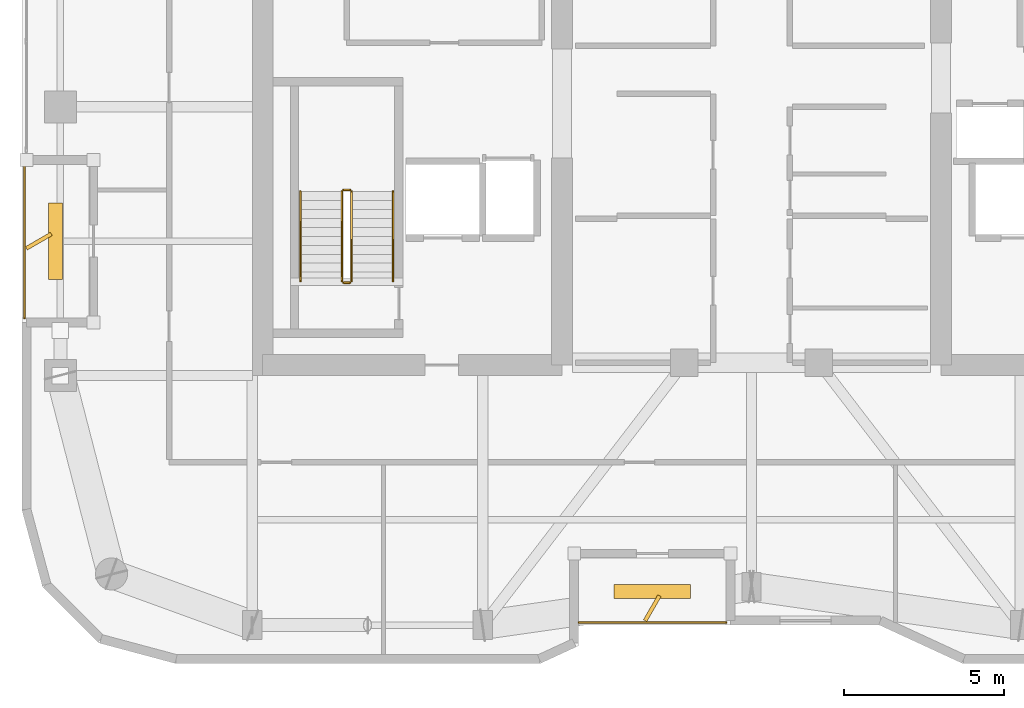
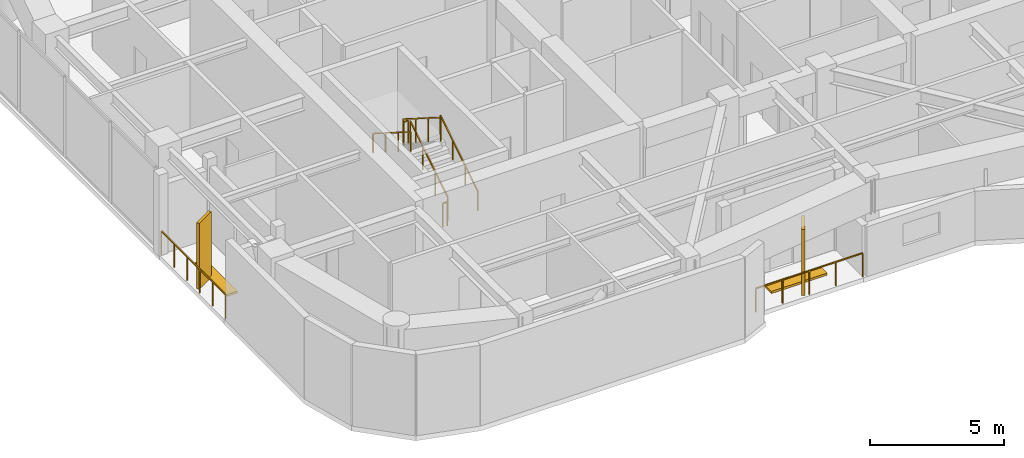
# One storey, part 14 of 15: 8 railings, 4 shading devices.
"""IFC4 building model written with IfcOpenShell, lengths in metres."""

from ifc_helpers import new_model, si_unit, direction, frame, origin, origin_2d, place, context, subcontext, project, spatial, rectangle, extrude, material, type_object, element, save


model = new_model("IFC4")

# Units and contexts
model_context = context("Model", 3, precision=1e-05, world=origin(), true_north=direction((0.0, 1.0)))
body_context = subcontext(model_context, "Body", "Model", "MODEL_VIEW")
ifc_project = project(units=[si_unit("LENGTHUNIT", "METRE"), si_unit("AREAUNIT", "SQUARE_METRE"), si_unit("VOLUMEUNIT", "CUBIC_METRE"), si_unit("PLANEANGLEUNIT", "RADIAN"), si_unit("MASSUNIT", "GRAM", prefix="KILO")], contexts=[model_context])

# Site, building, storey
site_placement = place(None, origin())
site = spatial("IfcSite", under=ifc_project, at=site_placement, CompositionType="ELEMENT")
building_placement = place(site_placement, origin())
building = spatial("IfcBuilding", under=site, at=building_placement, Name="Kiyonajd Concourse Tower", CompositionType="ELEMENT")
storey_placement = place(building_placement, frame((0.0, 0.0, 258.89990234375)))
storey = spatial("IfcBuildingStorey", under=building, at=storey_placement, Name="L65", CompositionType="ELEMENT", Elevation=258.89990234375)

# Railings
ifc_material_1 = material(Name="Thermally Broken Anodised Aluminium", Category="aluminium")
railing_type_1 = type_object("IfcRailingType", Name="RL-GRD-LOG", PredefinedType="GUARDRAIL", material=ifc_material_1)
railing_1_placement = place(storey_placement, frame((42.60009765625, 19.8798828125, 0.0)))
element("IfcRailing", 1, at=railing_1_placement, inside=storey, type_object=railing_type_1, Name="L65 Engawa Loggia Perimeter Guard LOG-S", PredefinedType="GUARDRAIL", context=body_context, shape_type="SweptSolid", body=[
    extrude(rectangle(XDim=0.048095703125, YDim=0.048095703125, at=origin_2d()), frame((0.0, 0.0, 1.076171875), z_axis=(1.0, 0.0, 0.0), x_axis=(0.0, 1.0, 0.0)), (0.0, 0.0, 1.0), 4.599853515625),
    extrude(rectangle(XDim=0.0419921875, YDim=0.0419921875, at=origin_2d()), origin(), (0.0, 0.0, 1.0), 1.052001953125),
    extrude(rectangle(XDim=0.0419921875, YDim=0.0419921875, at=origin_2d()), frame((1.14990234375, 0.0, 0.0)), (0.0, 0.0, 1.0), 1.052001953125),
    extrude(rectangle(XDim=0.0419921875, YDim=0.0419921875, at=origin_2d()), frame((2.2998046875, 0.0, 0.0)), (0.0, 0.0, 1.0), 1.052001953125),
    extrude(rectangle(XDim=0.0419921875, YDim=0.0419921875, at=origin_2d()), frame((3.449951171875, 0.0, 0.0)), (0.0, 0.0, 1.0), 1.052001953125),
    extrude(rectangle(XDim=0.0419921875, YDim=0.0419921875, at=origin_2d()), frame((4.599853515625, 0.0, 0.0)), (0.0, 0.0, 1.0), 1.052001953125),
])
railing_2_placement = place(storey_placement, frame((25.280029296875, 34.199951171875, 0.0)))
element("IfcRailing", 2, at=railing_2_placement, inside=storey, type_object=railing_type_1, Name="L65 Engawa Loggia Perimeter Guard LOG-W", PredefinedType="GUARDRAIL", context=body_context, shape_type="SweptSolid", body=[
    extrude(rectangle(XDim=0.048095703125, YDim=0.048095703125, at=origin_2d()), frame((0.0, 0.0, 1.076171875), z_axis=(0.0, -1.0, 0.0), x_axis=(1.0, 0.0, 0.0)), (0.0, 0.0, 1.0), 4.800048828125),
    extrude(rectangle(XDim=0.0419921875, YDim=0.0419921875, at=origin_2d()), origin(), (0.0, 0.0, 1.0), 1.052001953125),
    extrude(rectangle(XDim=0.0419921875, YDim=0.0419921875, at=origin_2d()), frame((0.0, -0.9599609375, 0.0)), (0.0, 0.0, 1.0), 1.052001953125),
    extrude(rectangle(XDim=0.0419921875, YDim=0.0419921875, at=origin_2d()), frame((0.0, -1.919921875, 0.0)), (0.0, 0.0, 1.0), 1.052001953125),
    extrude(rectangle(XDim=0.0419921875, YDim=0.0419921875, at=origin_2d()), frame((0.0, -2.880126953125, 0.0)), (0.0, 0.0, 1.0), 1.052001953125),
    extrude(rectangle(XDim=0.0419921875, YDim=0.0419921875, at=origin_2d()), frame((0.0, -3.840087890625, 0.0)), (0.0, 0.0, 1.0), 1.052001953125),
    extrude(rectangle(XDim=0.0419921875, YDim=0.0419921875, at=origin_2d()), frame((0.0, -4.800048828125, 0.0)), (0.0, 0.0, 1.0), 1.052001953125),
])
ifc_material_2 = material(Name="Steel ASTM A500 Grade C", Category="steel")
railing_type_2 = type_object("IfcRailingType", Name="RL-GRD-STR", PredefinedType="GUARDRAIL", material=ifc_material_2)
railing_3_placement = place(storey_placement, frame((35.5, 30.550048828125, 0.177490234375)))
element("IfcRailing", 3, at=railing_3_placement, inside=storey, type_object=railing_type_2, Name="L65 ST1 stair guard 1", PredefinedType="GUARDRAIL", context=body_context, shape_type="SweptSolid", body=[
    extrude(rectangle(XDim=0.048095703125, YDim=0.048095703125, at=origin_2d()), frame((0.0, 0.0, 1.076171875), z_axis=(0.0, 0.844908973607, 0.534910110503), x_axis=(-1.0, 0.0, 0.0)), (0.0, 0.0, 1.0), 3.31396484375),
    extrude(rectangle(XDim=0.0419921875, YDim=0.0419921875, at=origin_2d()), origin(), (0.0, 0.0, 1.0), 1.052001953125),
    extrude(rectangle(XDim=0.0419921875, YDim=0.0419921875, at=origin_2d()), frame((0.0, 0.933349609375, 0.5908203125)), (0.0, 0.0, 1.0), 1.052001953125),
    extrude(rectangle(XDim=0.0419921875, YDim=0.0419921875, at=origin_2d()), frame((0.0, 1.86669921875, 1.181884765625)), (0.0, 0.0, 1.0), 1.052001953125),
    extrude(rectangle(XDim=0.0419921875, YDim=0.0419921875, at=origin_2d()), frame((0.0, 2.800048828125, 1.772705078125)), (0.0, 0.0, 1.0), 1.052001953125),
])
railing_4_placement = place(storey_placement, frame((35.449951171875, 33.39990234375, 1.9501953125)))
element("IfcRailing", 4, at=railing_4_placement, inside=storey, type_object=railing_type_2, Name="L65 ST1 stair guard 2", PredefinedType="GUARDRAIL", context=body_context, shape_type="SweptSolid", body=[
    extrude(rectangle(XDim=0.048095703125, YDim=0.048095703125, at=origin_2d()), frame((0.0, 0.0, 1.076171875), z_axis=(-1.0, 0.0, 0.0), x_axis=(0.0, -1.0, 0.0)), (0.0, 0.0, 1.0), 0.199951171875),
    extrude(rectangle(XDim=0.0419921875, YDim=0.0419921875, at=origin_2d()), origin(), (0.0, 0.0, 1.0), 1.052001953125),
    extrude(rectangle(XDim=0.0419921875, YDim=0.0419921875, at=origin_2d()), frame((-0.199951171875, 0.0, 0.0)), (0.0, 0.0, 1.0), 1.052001953125),
])
railing_5_placement = place(storey_placement, frame((35.199951171875, 33.35009765625, 2.12744140625)))
element("IfcRailing", 5, at=railing_5_placement, inside=storey, type_object=railing_type_2, Name="L65 ST1 stair guard 3", PredefinedType="GUARDRAIL", context=body_context, shape_type="SweptSolid", body=[
    extrude(rectangle(XDim=0.048095703125, YDim=0.048095703125, at=origin_2d()), frame((0.0, 0.0, 1.076171875), z_axis=(0.0, -0.844908973607, 0.534910110503), x_axis=(1.0, 0.0, 0.0)), (0.0, 0.0, 1.0), 3.31396484375),
    extrude(rectangle(XDim=0.0419921875, YDim=0.0419921875, at=origin_2d()), origin(), (0.0, 0.0, 1.0), 1.052001953125),
    extrude(rectangle(XDim=0.0419921875, YDim=0.0419921875, at=origin_2d()), frame((0.0, -0.933349609375, 0.5908203125)), (0.0, 0.0, 1.0), 1.052001953125),
    extrude(rectangle(XDim=0.0419921875, YDim=0.0419921875, at=origin_2d()), frame((0.0, -1.86669921875, 1.181884765625)), (0.0, 0.0, 1.0), 1.052001953125),
    extrude(rectangle(XDim=0.0419921875, YDim=0.0419921875, at=origin_2d()), frame((0.0, -2.800048828125, 1.772705078125)), (0.0, 0.0, 1.0), 1.052001953125),
])
railing_6_placement = place(storey_placement, frame((35.449951171875, 30.5, 0.0)))
element("IfcRailing", 6, at=railing_6_placement, inside=storey, type_object=railing_type_2, Name="L65 ST1 stair guard 4", PredefinedType="GUARDRAIL", context=body_context, shape_type="SweptSolid", body=[
    extrude(rectangle(XDim=0.048095703125, YDim=0.048095703125, at=origin_2d()), frame((0.0, 0.0, 1.076171875), z_axis=(-1.0, 0.0, 0.0), x_axis=(0.0, -1.0, 0.0)), (0.0, 0.0, 1.0), 0.199951171875),
    extrude(rectangle(XDim=0.0419921875, YDim=0.0419921875, at=origin_2d()), origin(), (0.0, 0.0, 1.0), 1.052001953125),
    extrude(rectangle(XDim=0.0419921875, YDim=0.0419921875, at=origin_2d()), frame((-0.199951171875, 0.0, 0.0)), (0.0, 0.0, 1.0), 1.052001953125),
])
ifc_material_3 = material(Name="Brushed Stainless Steel Cab Assembly", Category="steel")
railing_type_3 = type_object("IfcRailingType", Name="RL-HND-900", PredefinedType="HANDRAIL", material=ifc_material_3)
railing_7_placement = place(storey_placement, frame((36.800048828125, 30.550048828125, 0.177490234375)))
element("IfcRailing", 7, at=railing_7_placement, inside=storey, type_object=railing_type_3, Name="L65 ST1 stair handrail 1", PredefinedType="HANDRAIL", context=body_context, shape_type="SweptSolid", body=[
    extrude(rectangle(XDim=0.048095703125, YDim=0.048095703125, at=origin_2d()), frame((0.0, 0.0, 0.8759765625), z_axis=(0.0, 0.844908973607, 0.534910110503), x_axis=(-1.0, 0.0, 0.0)), (0.0, 0.0, 1.0), 3.31396484375),
    extrude(rectangle(XDim=0.0419921875, YDim=0.0419921875, at=origin_2d()), origin(), (0.0, 0.0, 1.0), 0.851806640625),
    extrude(rectangle(XDim=0.0419921875, YDim=0.0419921875, at=origin_2d()), frame((0.0, 0.933349609375, 0.5908203125)), (0.0, 0.0, 1.0), 0.851806640625),
    extrude(rectangle(XDim=0.0419921875, YDim=0.0419921875, at=origin_2d()), frame((0.0, 1.86669921875, 1.181884765625)), (0.0, 0.0, 1.0), 0.851806640625),
    extrude(rectangle(XDim=0.0419921875, YDim=0.0419921875, at=origin_2d()), frame((0.0, 2.800048828125, 1.772705078125)), (0.0, 0.0, 1.0), 0.851806640625),
])
railing_8_placement = place(storey_placement, frame((33.89990234375, 33.35009765625, 2.12744140625)))
element("IfcRailing", 8, at=railing_8_placement, inside=storey, type_object=railing_type_3, Name="L65 ST1 stair handrail 2", PredefinedType="HANDRAIL", context=body_context, shape_type="SweptSolid", body=[
    extrude(rectangle(XDim=0.048095703125, YDim=0.048095703125, at=origin_2d()), frame((0.0, 0.0, 0.8759765625), z_axis=(0.0, -0.844908973607, 0.534910110503), x_axis=(1.0, 0.0, 0.0)), (0.0, 0.0, 1.0), 3.31396484375),
    extrude(rectangle(XDim=0.0419921875, YDim=0.0419921875, at=origin_2d()), origin(), (0.0, 0.0, 1.0), 0.851806640625),
    extrude(rectangle(XDim=0.0419921875, YDim=0.0419921875, at=origin_2d()), frame((0.0, -0.933349609375, 0.5908203125)), (0.0, 0.0, 1.0), 0.851806640625),
    extrude(rectangle(XDim=0.0419921875, YDim=0.0419921875, at=origin_2d()), frame((0.0, -1.86669921875, 1.181884765625)), (0.0, 0.0, 1.0), 0.851806640625),
    extrude(rectangle(XDim=0.0419921875, YDim=0.0419921875, at=origin_2d()), frame((0.0, -2.800048828125, 1.772705078125)), (0.0, 0.0, 1.0), 0.851806640625),
])

# Shading devices
ifc_material_4 = material(Name="Precast concrete C50/60", Category="concrete")
shading_device_type_1 = type_object("IfcShadingDeviceType", Name="SH-FIN-900", PredefinedType="USERDEFINED", material=ifc_material_4)
for number, where, z_axis, x_axis, name in (
    (9, (44.89990234375, 20.330078125, 0.0), (0.0, 0.0, 1.0), (0.5, 0.866025403784, 0.0), "L65 Angled Koshi Solar Fin LOG-S"),
    (10, (25.72998046875, 31.800048828125, 0.0), (0.0, 0.0, 1.0), (0.866025403784, 0.5, 0.0), "L65 Angled Koshi Solar Fin LOG-W"),
):
    element("IfcShadingDevice", number, at=place(storey_placement, frame(where, z_axis=z_axis, x_axis=x_axis)), inside=storey, type_object=shading_device_type_1, Name=name, ObjectType="FIN", PredefinedType="USERDEFINED", context=body_context, shape_type="SweptSolid", body=[
        extrude(rectangle(XDim=0.89990234375, YDim=0.1201171875, at=origin_2d()), origin(), (0.0, 0.0, 1.0), 3.0),
    ])
shading_device_type_2 = type_object("IfcShadingDeviceType", Name="SH-LVR-600", PredefinedType="JALOUSIE", material=ifc_material_1)
for number, where, z_axis, x_axis, name in (
    (11, (44.89990234375, 20.85009765625, 0.0), (0.0, 0.0, 1.0), (1.0, 0.0, 0.0), "L65 Loggia Threshold Louver LOG-S"),
    (12, (26.25, 31.800048828125, 0.0), (0.0, 0.0, 1.0), (0.0, 1.0, 0.0), "L65 Loggia Threshold Louver LOG-W"),
):
    element("IfcShadingDevice", number, at=place(storey_placement, frame(where, z_axis=z_axis, x_axis=x_axis)), inside=storey, type_object=shading_device_type_2, Name=name, PredefinedType="JALOUSIE", context=body_context, shape_type="SweptSolid", body=[
        extrude(rectangle(XDim=2.39990234375, YDim=0.449951171875, at=origin_2d()), origin(), (0.0, 0.0, 1.0), 0.10009765625),
    ])

save(model, "model.ifc")
